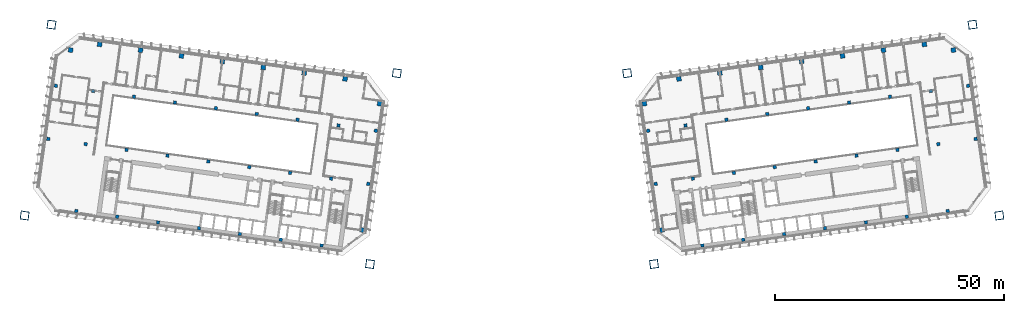
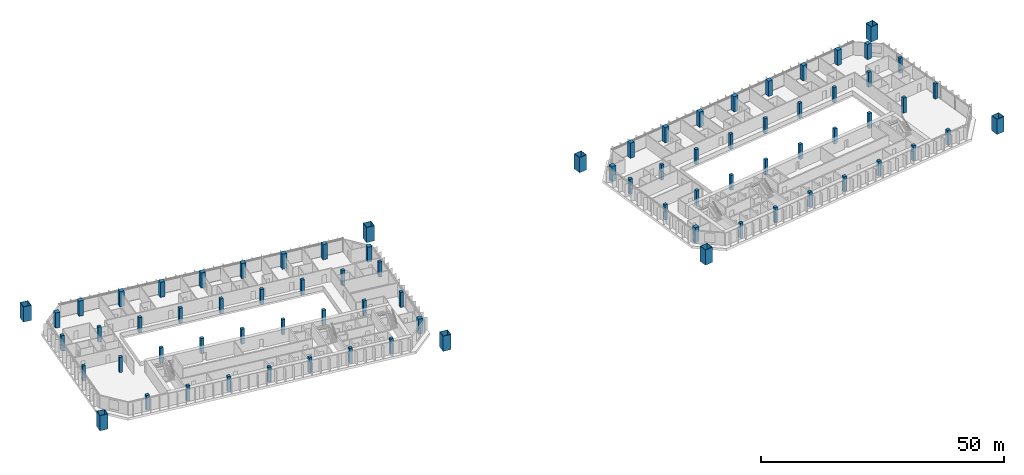
# One storey, part 1 of 24: 78 columns.
"""IFC4 building model written with IfcOpenShell, lengths in metres."""

from ifc_helpers import new_model, si_unit, direction, frame, origin, origin_2d, place, context, subcontext, project, spatial, rectangle, hollow_rectangle, extrude, material, material_profile, profile_set, type_object, element, save


model = new_model("IFC4")

# Units and contexts
model_context = context("Model", 3, precision=1e-05, world=origin(), true_north=direction((0.0, 1.0)))
body_context = subcontext(model_context, "Body", "Model", "MODEL_VIEW")
ifc_project = project(units=[si_unit("LENGTHUNIT", "METRE"), si_unit("AREAUNIT", "SQUARE_METRE"), si_unit("VOLUMEUNIT", "CUBIC_METRE"), si_unit("PLANEANGLEUNIT", "RADIAN"), si_unit("MASSUNIT", "GRAM", prefix="KILO")], contexts=[model_context])

# Site, building, storey
site_placement = place(None, origin())
site = spatial("IfcSite", under=ifc_project, at=site_placement, CompositionType="ELEMENT")
building_placement = place(site_placement, origin())
building = spatial("IfcBuilding", under=site, at=building_placement, Name="Mirante Cascada Hotel Towers", CompositionType="ELEMENT")
storey_placement = place(building_placement, frame((0.0, 0.0, 88.9)))
storey = spatial("IfcBuildingStorey", under=building, at=storey_placement, Name="L19", CompositionType="ELEMENT", Elevation=88.9)

# Columns
ifc_material_1 = material(Name="Steel ASTM A572 Gr 50", Category="steel")
ifc_material_profile_1 = material_profile(ifc_material_1, hollow_rectangle(XDim=1.8, YDim=1.8, WallThickness=0.08, at=origin_2d()), Name="Box column 1800x1800x80 ASTM A572 Gr 50")
ifc_profile_set_1 = profile_set([ifc_material_profile_1], Name="Steel ASTM A572 Gr 50")
column_type_1 = type_object("IfcColumnType", Name="Box column 1800x1800x80 ASTM A572 Gr 50", PredefinedType="COLUMN", material=ifc_profile_set_1)
for number, where, z_axis, x_axis, name in (
    (1, (-25.0968, 18.5173, 0.0), (0.0, 0.0, 1.0), (-0.9902681, 0.1391731, 0.0), "Mega column MC1 T1 L19"),
    (2, (-30.9421, -23.074, 0.0), (0.0, 0.0, 1.0), (-0.9902681, 0.1391731, 0.0), "Mega column MC2 T1 L19"),
    (3, (-100.3572, 29.0944, 0.0), (0.0, 0.0, 1.0), (-0.9902681, 0.1391731, 0.0), "Mega column MC3 T1 L19"),
    (4, (-106.2025, -12.4968, 0.0), (0.0, 0.0, 1.0), (-0.9902681, 0.1391731, 0.0), "Mega column MC4 T1 L19"),
    (5, (25.0968, 18.5173, 0.0), (0.0, 0.0, 1.0), (0.9902681, 0.1391731, 0.0), "Mega column MC1 T2 L19"),
    (6, (30.9421, -23.074, 0.0), (0.0, 0.0, 1.0), (0.9902681, 0.1391731, 0.0), "Mega column MC2 T2 L19"),
    (7, (100.3572, 29.0944, 0.0), (0.0, 0.0, 1.0), (0.9902681, 0.1391731, 0.0), "Mega column MC3 T2 L19"),
    (8, (106.2025, -12.4968, 0.0), (0.0, 0.0, 1.0), (0.9902681, 0.1391731, 0.0), "Mega column MC4 T2 L19"),
):
    element("IfcColumn", number, at=place(storey_placement, frame(where, z_axis=z_axis, x_axis=x_axis)), inside=storey, type_object=column_type_1, Name=name, PredefinedType="COLUMN", context=body_context, shape_type="SweptSolid", body=[
        extrude(hollow_rectangle(XDim=1.8, YDim=1.8, WallThickness=0.08, at=origin_2d()), origin(), (0.0, 0.0, 1.0), 3.8),
    ])
ifc_material_2 = material(Name="Concrete C60/75", Category="concrete")
ifc_material_profile_2 = material_profile(ifc_material_2, rectangle(XDim=1.0, YDim=1.0, at=origin_2d()), Name="RC column 1000x1000 C60/75")
ifc_profile_set_2 = profile_set([ifc_material_profile_2], Name="Concrete C60/75")
column_type_2 = type_object("IfcColumnType", Name="RC column 1000x1000 C60/75", PredefinedType="COLUMN", material=ifc_profile_set_2)
for number, where, z_axis, x_axis, name in (
    (9, (-28.8577, 11.8761, 0.0), (0.0, 0.0, 1.0), (-0.9902681, 0.1391731, 0.0), "Column T1 L19 1"),
    (10, (-32.7267, -15.6534, 0.0), (0.0, 0.0, 1.0), (-0.9902681, 0.1391731, 0.0), "Column T1 L19 4"),
    (11, (-36.3795, 17.2754, 0.0), (0.0, 0.0, 1.0), (-0.9902681, 0.1391731, 0.0), "Column T1 L19 5"),
    (12, (-45.2919, 18.528, 0.0), (0.0, 0.0, 1.0), (-0.9902681, 0.1391731, 0.0), "Column T1 L19 9"),
    (13, (-54.2043, 19.7806, 0.0), (0.0, 0.0, 1.0), (-0.9902681, 0.1391731, 0.0), "Column T1 L19 13"),
    (14, (-63.1167, 21.0331, 0.0), (0.0, 0.0, 1.0), (-0.9902681, 0.1391731, 0.0), "Column T1 L19 17"),
    (15, (-72.0291, 22.2857, 0.0), (0.0, 0.0, 1.0), (-0.9902681, 0.1391731, 0.0), "Column T1 L19 21"),
    (16, (-80.9415, 23.5382, 0.0), (0.0, 0.0, 1.0), (-0.9902681, 0.1391731, 0.0), "Column T1 L19 25"),
    (17, (-89.8539, 24.7908, 0.0), (0.0, 0.0, 1.0), (-0.9902681, 0.1391731, 0.0), "Column T1 L19 29"),
    (18, (-96.1868, 23.5602, 0.0), (0.0, 0.0, 1.0), (-0.9902681, 0.1391731, 0.0), "Column T1 L19 33"),
    (19, (28.8577, 11.8761, 0.0), (0.0, 0.0, 1.0), (0.9902681, 0.1391731, 0.0), "Column T2 L19 1"),
    (20, (32.7267, -15.6534, 0.0), (0.0, 0.0, 1.0), (0.9902681, 0.1391731, 0.0), "Column T2 L19 4"),
    (21, (36.3795, 17.2754, 0.0), (0.0, 0.0, 1.0), (0.9902681, 0.1391731, 0.0), "Column T2 L19 5"),
    (22, (45.2919, 18.528, 0.0), (0.0, 0.0, 1.0), (0.9902681, 0.1391731, 0.0), "Column T2 L19 9"),
    (23, (54.2043, 19.7806, 0.0), (0.0, 0.0, 1.0), (0.9902681, 0.1391731, 0.0), "Column T2 L19 13"),
    (24, (63.1167, 21.0331, 0.0), (0.0, 0.0, 1.0), (0.9902681, 0.1391731, 0.0), "Column T2 L19 17"),
    (25, (72.0291, 22.2857, 0.0), (0.0, 0.0, 1.0), (0.9902681, 0.1391731, 0.0), "Column T2 L19 21"),
    (26, (80.9415, 23.5382, 0.0), (0.0, 0.0, 1.0), (0.9902681, 0.1391731, 0.0), "Column T2 L19 25"),
    (27, (89.8539, 24.7908, 0.0), (0.0, 0.0, 1.0), (0.9902681, 0.1391731, 0.0), "Column T2 L19 29"),
    (28, (96.1868, 23.5602, 0.0), (0.0, 0.0, 1.0), (0.9902681, 0.1391731, 0.0), "Column T2 L19 33"),
):
    element("IfcColumn", number, at=place(storey_placement, frame(where, z_axis=z_axis, x_axis=x_axis)), inside=storey, type_object=column_type_2, Name=name, PredefinedType="COLUMN", context=body_context, shape_type="SweptSolid", body=[
        extrude(rectangle(XDim=1.0, YDim=1.0, at=origin_2d()), origin(), (0.0, 0.0, 1.0), 3.8),
    ])
ifc_material_3 = material(Name="Concrete C60/75", Category="concrete")
ifc_material_profile_3 = material_profile(ifc_material_3, rectangle(XDim=0.7, YDim=0.7, at=origin_2d()), Name="RC column 700x700 C60/75")
ifc_profile_set_3 = profile_set([ifc_material_profile_3], Name="Concrete C60/75")
column_type_3 = type_object("IfcColumnType", Name="RC column 700x700 C60/75", PredefinedType="COLUMN", material=ifc_profile_set_3)
for number, where, z_axis, x_axis, name in (
    (29, (-29.6858, 5.984, 0.0), (0.0, 0.0, 1.0), (-0.9902681, 0.1391731, 0.0), "Column T1 L19 2"),
    (30, (-31.3141, -5.6022, 0.0), (0.0, 0.0, 1.0), (-0.9902681, 0.1391731, 0.0), "Column T1 L19 3"),
    (31, (-37.806, 7.1252, 0.0), (0.0, 0.0, 1.0), (-0.9902681, 0.1391731, 0.0), "Column T1 L19 6"),
    (32, (-39.4343, -4.4609, 0.0), (0.0, 0.0, 1.0), (-0.9902681, 0.1391731, 0.0), "Column T1 L19 7"),
    (33, (-41.4802, -19.0179, 0.0), (0.0, 0.0, 1.0), (-0.9902681, 0.1391731, 0.0), "Column T1 L19 8"),
    (34, (-46.7184, 8.3777, 0.0), (0.0, 0.0, 1.0), (-0.9902681, 0.1391731, 0.0), "Column T1 L19 10"),
    (35, (-48.3467, -3.2084, 0.0), (0.0, 0.0, 1.0), (-0.9902681, 0.1391731, 0.0), "Column T1 L19 11"),
    (36, (-50.3926, -17.7653, 0.0), (0.0, 0.0, 1.0), (-0.9902681, 0.1391731, 0.0), "Column T1 L19 12"),
    (37, (-55.6308, 9.6303, 0.0), (0.0, 0.0, 1.0), (-0.9902681, 0.1391731, 0.0), "Column T1 L19 14"),
    (38, (-57.2591, -1.9558, 0.0), (0.0, 0.0, 1.0), (-0.9902681, 0.1391731, 0.0), "Column T1 L19 15"),
    (39, (-59.305, -16.5128, 0.0), (0.0, 0.0, 1.0), (-0.9902681, 0.1391731, 0.0), "Column T1 L19 16"),
    (40, (-64.5432, 10.8829, 0.0), (0.0, 0.0, 1.0), (-0.9902681, 0.1391731, 0.0), "Column T1 L19 18"),
    (41, (-66.1716, -0.7033, 0.0), (0.0, 0.0, 1.0), (-0.9902681, 0.1391731, 0.0), "Column T1 L19 19"),
    (42, (-68.2174, -15.2602, 0.0), (0.0, 0.0, 1.0), (-0.9902681, 0.1391731, 0.0), "Column T1 L19 20"),
    (43, (-73.4556, 12.1354, 0.0), (0.0, 0.0, 1.0), (-0.9902681, 0.1391731, 0.0), "Column T1 L19 22"),
    (44, (-75.084, 0.5493, 0.0), (0.0, 0.0, 1.0), (-0.9902681, 0.1391731, 0.0), "Column T1 L19 23"),
    (45, (-77.1298, -14.0077, 0.0), (0.0, 0.0, 1.0), (-0.9902681, 0.1391731, 0.0), "Column T1 L19 24"),
    (46, (-82.368, 13.388, 0.0), (0.0, 0.0, 1.0), (-0.9902681, 0.1391731, 0.0), "Column T1 L19 26"),
    (47, (-83.9964, 1.8018, 0.0), (0.0, 0.0, 1.0), (-0.9902681, 0.1391731, 0.0), "Column T1 L19 27"),
    (48, (-86.0422, -12.7551, 0.0), (0.0, 0.0, 1.0), (-0.9902681, 0.1391731, 0.0), "Column T1 L19 28"),
    (49, (-91.2805, 14.6405, 0.0), (0.0, 0.0, 1.0), (-0.9902681, 0.1391731, 0.0), "Column T1 L19 30"),
    (50, (-92.9088, 3.0544, 0.0), (0.0, 0.0, 1.0), (-0.9902681, 0.1391731, 0.0), "Column T1 L19 31"),
    (51, (-94.9546, -11.5025, 0.0), (0.0, 0.0, 1.0), (-0.9902681, 0.1391731, 0.0), "Column T1 L19 32"),
    (52, (-99.4007, 15.7818, 0.0), (0.0, 0.0, 1.0), (-0.9902681, 0.1391731, 0.0), "Column T1 L19 34"),
    (53, (-101.029, 4.1956, 0.0), (0.0, 0.0, 1.0), (-0.9902681, 0.1391731, 0.0), "Column T1 L19 35"),
    (54, (29.6858, 5.984, 0.0), (0.0, 0.0, 1.0), (0.9902681, 0.1391731, 0.0), "Column T2 L19 2"),
    (55, (31.3141, -5.6022, 0.0), (0.0, 0.0, 1.0), (0.9902681, 0.1391731, 0.0), "Column T2 L19 3"),
    (56, (37.806, 7.1252, 0.0), (0.0, 0.0, 1.0), (0.9902681, 0.1391731, 0.0), "Column T2 L19 6"),
    (57, (39.4343, -4.4609, 0.0), (0.0, 0.0, 1.0), (0.9902681, 0.1391731, 0.0), "Column T2 L19 7"),
    (58, (41.4802, -19.0179, 0.0), (0.0, 0.0, 1.0), (0.9902681, 0.1391731, 0.0), "Column T2 L19 8"),
    (59, (46.7184, 8.3777, 0.0), (0.0, 0.0, 1.0), (0.9902681, 0.1391731, 0.0), "Column T2 L19 10"),
    (60, (48.3467, -3.2084, 0.0), (0.0, 0.0, 1.0), (0.9902681, 0.1391731, 0.0), "Column T2 L19 11"),
    (61, (50.3926, -17.7653, 0.0), (0.0, 0.0, 1.0), (0.9902681, 0.1391731, 0.0), "Column T2 L19 12"),
    (62, (55.6308, 9.6303, 0.0), (0.0, 0.0, 1.0), (0.9902681, 0.1391731, 0.0), "Column T2 L19 14"),
    (63, (57.2591, -1.9558, 0.0), (0.0, 0.0, 1.0), (0.9902681, 0.1391731, 0.0), "Column T2 L19 15"),
    (64, (59.305, -16.5128, 0.0), (0.0, 0.0, 1.0), (0.9902681, 0.1391731, 0.0), "Column T2 L19 16"),
    (65, (64.5432, 10.8829, 0.0), (0.0, 0.0, 1.0), (0.9902681, 0.1391731, 0.0), "Column T2 L19 18"),
    (66, (66.1716, -0.7033, 0.0), (0.0, 0.0, 1.0), (0.9902681, 0.1391731, 0.0), "Column T2 L19 19"),
    (67, (68.2174, -15.2602, 0.0), (0.0, 0.0, 1.0), (0.9902681, 0.1391731, 0.0), "Column T2 L19 20"),
    (68, (73.4556, 12.1354, 0.0), (0.0, 0.0, 1.0), (0.9902681, 0.1391731, 0.0), "Column T2 L19 22"),
    (69, (75.084, 0.5493, 0.0), (0.0, 0.0, 1.0), (0.9902681, 0.1391731, 0.0), "Column T2 L19 23"),
    (70, (77.1298, -14.0077, 0.0), (0.0, 0.0, 1.0), (0.9902681, 0.1391731, 0.0), "Column T2 L19 24"),
    (71, (82.368, 13.388, 0.0), (0.0, 0.0, 1.0), (0.9902681, 0.1391731, 0.0), "Column T2 L19 26"),
    (72, (83.9964, 1.8018, 0.0), (0.0, 0.0, 1.0), (0.9902681, 0.1391731, 0.0), "Column T2 L19 27"),
    (73, (86.0422, -12.7551, 0.0), (0.0, 0.0, 1.0), (0.9902681, 0.1391731, 0.0), "Column T2 L19 28"),
    (74, (91.2805, 14.6405, 0.0), (0.0, 0.0, 1.0), (0.9902681, 0.1391731, 0.0), "Column T2 L19 30"),
    (75, (92.9088, 3.0544, 0.0), (0.0, 0.0, 1.0), (0.9902681, 0.1391731, 0.0), "Column T2 L19 31"),
    (76, (94.9546, -11.5025, 0.0), (0.0, 0.0, 1.0), (0.9902681, 0.1391731, 0.0), "Column T2 L19 32"),
    (77, (99.4007, 15.7818, 0.0), (0.0, 0.0, 1.0), (0.9902681, 0.1391731, 0.0), "Column T2 L19 34"),
    (78, (101.029, 4.1956, 0.0), (0.0, 0.0, 1.0), (0.9902681, 0.1391731, 0.0), "Column T2 L19 35"),
):
    element("IfcColumn", number, at=place(storey_placement, frame(where, z_axis=z_axis, x_axis=x_axis)), inside=storey, type_object=column_type_3, Name=name, PredefinedType="COLUMN", context=body_context, shape_type="SweptSolid", body=[
        extrude(rectangle(XDim=0.7, YDim=0.7, at=origin_2d()), origin(), (0.0, 0.0, 1.0), 3.8),
    ])

save(model, "model.ifc")
